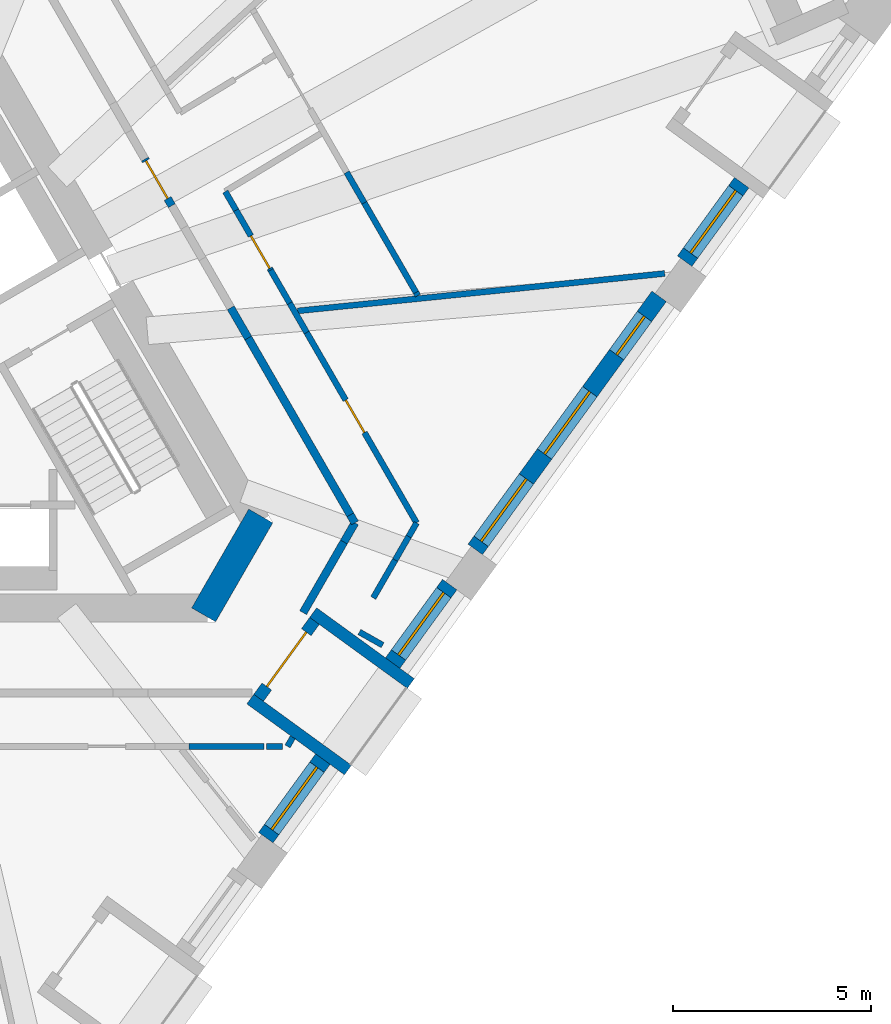
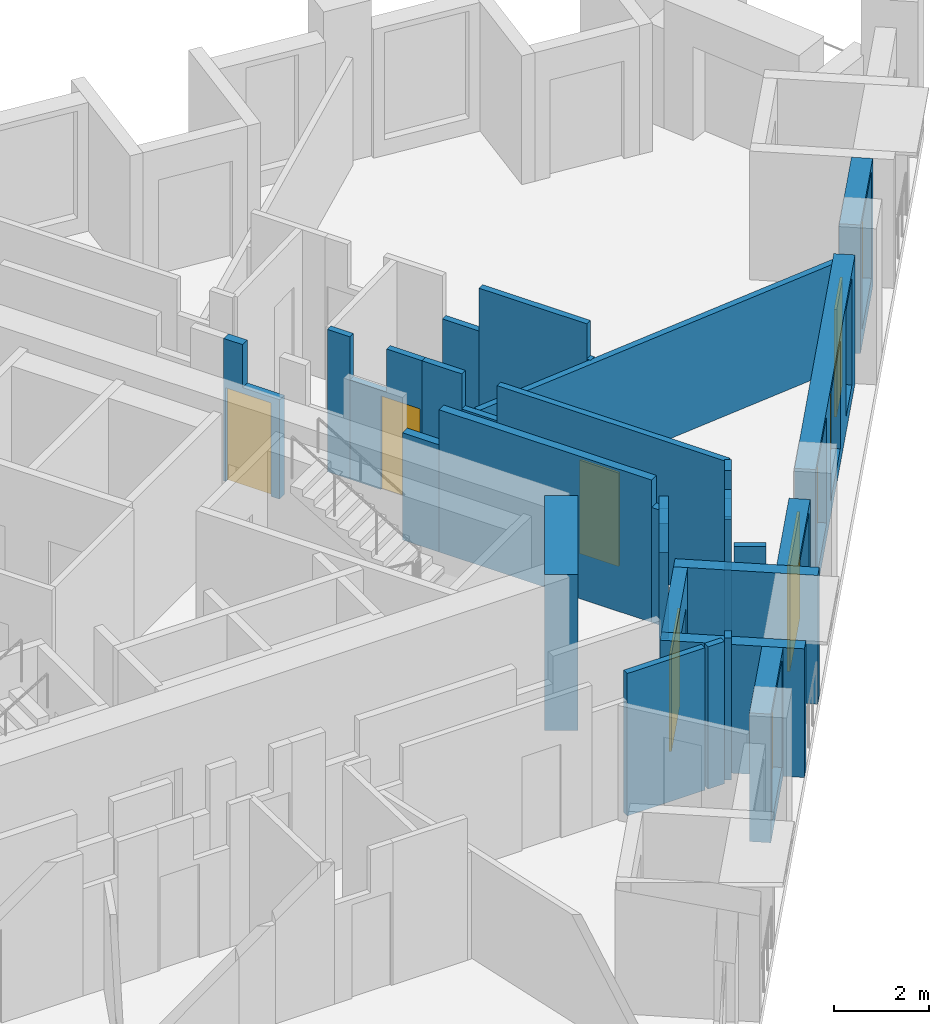
# One storey, part 5 of 11: 30 walls, 6 windows, 4 doors, 10 openings.
"""IFC4 building model written with IfcOpenShell, lengths in metres."""

from ifc_helpers import new_model, si_unit, direction, frame, frame_2d, origin, place, context, subcontext, project, spatial, polyline, rectangle, outline, extrude, material, layer, layer_set, type_object, element, fill, save


model = new_model("IFC4")

# Units and contexts
model_context = context("Model", 3, precision=1e-05, world=origin(), true_north=direction((0.0, 1.0)))
body_context = subcontext(model_context, "Body", "Model", "MODEL_VIEW")
ifc_project = project(units=[si_unit("LENGTHUNIT", "METRE"), si_unit("AREAUNIT", "SQUARE_METRE"), si_unit("VOLUMEUNIT", "CUBIC_METRE"), si_unit("PLANEANGLEUNIT", "RADIAN"), si_unit("MASSUNIT", "GRAM", prefix="KILO")], contexts=[model_context])

# Site, building, storey
site_placement = place(None, origin())
site = spatial("IfcSite", under=ifc_project, at=site_placement, CompositionType="ELEMENT")
building_placement = place(site_placement, origin())
building = spatial("IfcBuilding", under=site, at=building_placement, Name="Tramontana Tower", CompositionType="ELEMENT")
storey_placement = place(building_placement, frame((0.0, 0.0, 245.199951171875)))
storey = spatial("IfcBuildingStorey", under=building, at=storey_placement, Name="L57", CompositionType="ELEMENT", Elevation=245.199951171875)

# Walls
ifc_material_1 = material(Name="Concrete 70 MPa", Category="concrete")
ifc_layer_1 = layer(ifc_material_1, 0.699951171875)
ifc_layer_set_1 = layer_set([ifc_layer_1], Name="Core wall 700 70 MPa")
wall_type_1 = type_object("IfcWallType", Name="Core wall 700 70 MPa", PredefinedType="SHEAR", material=ifc_layer_set_1)
wall_1_placement = place(storey_placement, frame((8.50146484375, -6.574951171875, 0.0), z_axis=(0.0, 0.0, 1.0), x_axis=(0.499995765644, 0.866027848477, 0.0)))
element("IfcWall", 1, at=wall_1_placement, inside=storey, type_object=wall_type_1, Name="Core wall C4 L57", PredefinedType="SHEAR", context=body_context, shape_type="SweptSolid", body=[
    extrude(rectangle(XDim=2.88671875, YDim=0.699951171875, at=frame_2d((1.443359375, 0.0))), origin(), (0.0, 0.0, 1.0), 4.0),
])
ifc_material_2 = material(Name="Blockwork", Category="masonry")
ifc_layer_2 = layer(ifc_material_2, 0.199951171875)
ifc_layer_set_2 = layer_set([ifc_layer_2], Name="ENTRY WALL 200")
wall_type_2 = type_object("IfcWallType", Name="ENTRY WALL 200", PredefinedType="SOLIDWALL", material=ifc_layer_set_2)
wall_2_placement = place(storey_placement, frame((12.326416015625, -4.25, 0.0), z_axis=(0.0, 0.0, 1.0), x_axis=(-0.500000383388, -0.866025182435, 0.0)))
element("IfcWall", 2, at=wall_2_placement, inside=storey, type_object=wall_type_2, Name="Wall v60-ew0-0", PredefinedType="SOLIDWALL", context=body_context, shape_type="SweptSolid", body=[
    extrude(rectangle(XDim=0.5576171875, YDim=0.199951171875, at=frame_2d((0.27880859375, 0.0))), origin(), (0.0, 0.0, 1.0), 2.949951171875),
])
wall_3_placement = place(storey_placement, frame((12.047607421875, -4.73291015625, 0.0), z_axis=(0.0, 0.0, 1.0), x_axis=(-0.499958106649, -0.866049589571, 0.0)))
element("IfcWall", 3, at=wall_3_placement, inside=storey, type_object=wall_type_2, Name="Wall v60-ew0-1", PredefinedType="SOLIDWALL", context=body_context, shape_type="SweptSolid", body=[
    extrude(rectangle(XDim=2.062744140625, YDim=0.199951171875, at=frame_2d((1.03125, 0.0))), origin(), (0.0, 0.0, 1.0), 3.650146484375),
])

# Wall, opening, door
wall_4_placement = place(storey_placement, frame((7.017333984375, 4.945556640625, 0.0), z_axis=(0.0, 0.0, 1.0), x_axis=(0.499924531544, -0.866068971134, 0.0)))
wall_4 = element("IfcWall", 4, at=wall_4_placement, inside=storey, type_object=wall_type_2, Name="Wall v60-ew5-5", PredefinedType="SOLIDWALL", context=body_context, shape_type="SweptSolid", body=[
    extrude(outline(polyline([(0.0, 0.0), (1.359619140625, 0.0), (1.359375, 2.550048828125), (0.459228515625, 2.550048828125), (0.459228515625, 3.650146484375), (0.0, 3.650146484375), (0.0, 0.0)])), frame((0.0, 0.10009765625, 0.0), z_axis=(0.0, -1.0, 0.0), x_axis=(1.0, 0.0, 0.0)), (0.0, 0.0, 1.0), 0.199951171875),
])
opening_1_placement = place(wall_4_placement, frame((0.050048828125, 0.0, 0.0)))
opening_1 = element("IfcOpeningElement", 5, at=opening_1_placement, cuts=wall_4, Name="Opening B6A-19", PredefinedType="OPENING", context=body_context, shape_type="SweptSolid", body=[
    extrude(rectangle(XDim=1.10009765625, YDim=2.39990234375, at=frame_2d((0.550048828125, 1.199951171875))), frame((0.0, 0.10986328125, 0.0), z_axis=(0.0, -1.0, 0.0), x_axis=(1.0, 0.0, 0.0)), (0.0, 0.0, 1.0), 0.219970703125),
])
ifc_material_3 = material(Name="Painted timber", Category="wood")
door_type_1 = type_object("IfcDoorType", Name="DOOR ENTRY 1100", OperationType="SINGLE_SWING_LEFT", PredefinedType="DOOR", material=ifc_material_3)
door_1_placement = place(opening_1_placement, origin())
door_1 = element("IfcDoor", 6, at=door_1_placement, inside=storey, type_object=door_type_1, Name="Door B6A-19", OperationType="SINGLE_SWING_LEFT", OverallHeight=2.39990234375, OverallWidth=1.10009765625, PredefinedType="DOOR", context=body_context, shape_type="SweptSolid", body=[
    extrude(rectangle(XDim=1.10009765625, YDim=2.39990234375, at=frame_2d((0.550048828125, 1.199951171875))), frame((0.0, 0.02490234375, 0.0), z_axis=(0.0, -1.0, 0.0), x_axis=(1.0, 0.0, 0.0)), (0.0, 0.0, 1.0), 0.050048828125),
])
fill(opening_1, door_1)

# Walls
wall_5_placement = place(storey_placement, frame((9.186767578125, 1.18798828125, 0.0), z_axis=(0.0, 0.0, 1.0), x_axis=(0.500121072013, -0.86595549154, 0.0)))
element("IfcWall", 7, at=wall_5_placement, inside=storey, type_object=wall_type_2, Name="Wall v60-ew5-9", PredefinedType="SOLIDWALL", context=body_context, shape_type="SweptSolid", body=[
    extrude(rectangle(XDim=0.883544921875, YDim=0.199951171875, at=frame_2d((0.44189453125, 0.0))), origin(), (0.0, 0.0, 1.0), 2.75),
])
wall_6_placement = place(storey_placement, frame((9.628662109375, 0.4228515625, 0.0), z_axis=(0.0, 0.0, 1.0), x_axis=(0.499995433041, -0.866028040503, 0.0)))
element("IfcWall", 8, at=wall_6_placement, inside=storey, type_object=wall_type_2, Name="Wall v60-ew5-10", PredefinedType="SOLIDWALL", context=body_context, shape_type="SweptSolid", body=[
    extrude(rectangle(XDim=5.1611328125, YDim=0.199951171875, at=frame_2d((2.58056640625, 0.0))), origin(), (0.0, 0.0, 1.0), 3.650146484375),
])
wall_7_placement = place(storey_placement, frame((12.209228515625, -4.046875, 0.0), z_axis=(0.0, 0.0, 1.0), x_axis=(0.49972245349, -0.866185586049, 0.0)))
element("IfcWall", 9, at=wall_7_placement, inside=storey, type_object=wall_type_2, Name="Wall v60-ew5-11", PredefinedType="SOLIDWALL", context=body_context, shape_type="SweptSolid", body=[
    extrude(rectangle(XDim=0.234619140625, YDim=0.199951171875, at=frame_2d((0.1171875, 0.0))), origin(), (0.0, 0.0, 1.0), 2.949951171875),
])

# Wall, opening, window
ifc_material_4 = material(Name="Precast concrete 60 MPa", Category="concrete")
ifc_layer_3 = layer(ifc_material_4, 0.449951171875)
ifc_layer_set_3 = layer_set([ifc_layer_3], Name="Precast concrete 60 MPa, 450 mm")
wall_type_3 = type_object("IfcWallType", Name="EW1 Stone-faced precast wall 450", PredefinedType="SOLIDWALL", material=ifc_layer_set_3)
wall_8_placement = place(storey_placement, frame((10.074462890625, -12.2060546875, 0.0), z_axis=(0.0, 0.0, 1.0), x_axis=(0.587792773076, 0.809011530152, 0.0)))
wall_8 = element("IfcWall", 10, at=wall_8_placement, inside=storey, type_object=wall_type_3, Name="External wall L57 face 1 bay 3", PredefinedType="SOLIDWALL", context=body_context, shape_type="SweptSolid", body=[
    extrude(rectangle(XDim=2.4521484375, YDim=0.449951171875, at=frame_2d((1.22607421875, 0.0))), origin(), (0.0, 0.0, 1.0), 3.300048828125),
])
opening_2_placement = place(wall_8_placement, frame((0.251220703125, 0.0, 0.39990234375)))
opening_2 = element("IfcOpeningElement", 11, at=opening_2_placement, cuts=wall_8, Name="Opening M3", PredefinedType="OPENING", context=body_context, shape_type="SweptSolid", body=[
    extrude(rectangle(XDim=1.949951171875, YDim=2.75, at=frame_2d((0.97509765625, 1.375))), frame((0.0, 0.23486328125, 0.0), z_axis=(0.0, -1.0, 0.0), x_axis=(1.0, 0.0, 0.0)), (0.0, 0.0, 1.0), 0.469970703125),
])
ifc_material_5 = material(Name="Aluminum frame, double glazing unit", Category="aluminium")
window_type_1 = type_object("IfcWindowType", Name="M3 Window 1.95 x 2.75", PartitioningType="SINGLE_PANEL", PredefinedType="WINDOW", material=ifc_material_5)
window_1_placement = place(opening_2_placement, origin())
window_1 = element("IfcWindow", 12, at=window_1_placement, inside=storey, type_object=window_type_1, Name="Window M3 L57 face 1 module 7", OverallHeight=2.75, OverallWidth=1.949951171875, PartitioningType="SINGLE_PANEL", PredefinedType="WINDOW", context=body_context, shape_type="SweptSolid", body=[
    extrude(rectangle(XDim=1.949951171875, YDim=2.75, at=frame_2d((0.97509765625, 1.375))), frame((0.0, 0.030029296875, 0.0), z_axis=(0.0, -1.0, 0.0), x_axis=(1.0, 0.0, 0.0)), (0.0, 0.0, 1.0), 0.06005859375),
])
fill(opening_2, window_1)

wall_9_placement = place(storey_placement, frame((13.280517578125, -7.79345703125, 0.0), z_axis=(0.0, 0.0, 1.0), x_axis=(0.587792773076, 0.809011530152, 0.0)))
wall_9 = element("IfcWall", 13, at=wall_9_placement, inside=storey, type_object=wall_type_3, Name="External wall L57 face 1 bay 3", PredefinedType="SOLIDWALL", context=body_context, shape_type="SweptSolid", body=[
    extrude(rectangle(XDim=2.4521484375, YDim=0.449951171875, at=frame_2d((1.22607421875, 0.0))), origin(), (0.0, 0.0, 1.0), 3.300048828125),
])
opening_3_placement = place(wall_9_placement, frame((0.251220703125, 0.0, 0.39990234375)))
opening_3 = element("IfcOpeningElement", 14, at=opening_3_placement, cuts=wall_9, Name="Opening M3", PredefinedType="OPENING", context=body_context, shape_type="SweptSolid", body=[
    extrude(rectangle(XDim=1.949951171875, YDim=2.75, at=frame_2d((0.97509765625, 1.375))), frame((0.0, 0.23486328125, 0.0), z_axis=(0.0, -1.0, 0.0), x_axis=(1.0, 0.0, 0.0)), (0.0, 0.0, 1.0), 0.469970703125),
])
window_2_placement = place(opening_3_placement, origin())
window_2 = element("IfcWindow", 15, at=window_2_placement, inside=storey, type_object=window_type_1, Name="Window M3 L57 face 1 module 9", OverallHeight=2.75, OverallWidth=1.949951171875, PartitioningType="SINGLE_PANEL", PredefinedType="WINDOW", context=body_context, shape_type="SweptSolid", body=[
    extrude(rectangle(XDim=1.949951171875, YDim=2.75, at=frame_2d((0.97509765625, 1.375))), frame((0.0, 0.030029296875, 0.0), z_axis=(0.0, -1.0, 0.0), x_axis=(1.0, 0.0, 0.0)), (0.0, 0.0, 1.0), 0.06005859375),
])
fill(opening_3, window_2)

# Wall, openings, windows
wall_10_placement = place(storey_placement, frame((15.368408203125, -4.919677734375, 0.0), z_axis=(0.0, 0.0, 1.0), x_axis=(0.587782407267, 0.809019061399, 0.0)))
wall_10 = element("IfcWall", 16, at=wall_10_placement, inside=storey, type_object=wall_type_3, Name="External wall L57 face 1 bay 4", PredefinedType="SOLIDWALL", context=body_context, shape_type="SweptSolid", body=[
    extrude(rectangle(XDim=7.90673828125, YDim=0.449951171875, at=frame_2d((3.953369140625, 0.0))), origin(), (0.0, 0.0, 1.0), 3.300048828125),
])
opening_4_placement = place(wall_10_placement, frame((0.251220703125, 0.0, 0.39990234375)))
opening_4 = element("IfcOpeningElement", 17, at=opening_4_placement, cuts=wall_10, Name="Opening M3", PredefinedType="OPENING", context=body_context, shape_type="SweptSolid", body=[
    extrude(rectangle(XDim=1.949951171875, YDim=2.75, at=frame_2d((0.97509765625, 1.375))), frame((0.0, 0.23486328125, 0.0), z_axis=(0.0, -1.0, 0.0), x_axis=(1.0, 0.0, 0.0)), (0.0, 0.0, 1.0), 0.469970703125),
])
opening_5_placement = place(wall_10_placement, frame((2.978271484375, 0.0, 0.39990234375)))
opening_5 = element("IfcOpeningElement", 18, at=opening_5_placement, cuts=wall_10, Name="Opening M3", PredefinedType="OPENING", context=body_context, shape_type="SweptSolid", body=[
    extrude(rectangle(XDim=1.949951171875, YDim=2.75, at=frame_2d((0.97509765625, 1.375))), frame((0.0, 0.23486328125, 0.0), z_axis=(0.0, -1.0, 0.0), x_axis=(1.0, 0.0, 0.0)), (0.0, 0.0, 1.0), 0.469970703125),
])
opening_6_placement = place(wall_10_placement, frame((6.08056640625, 0.0, 0.39990234375)))
opening_6 = element("IfcOpeningElement", 19, at=opening_6_placement, cuts=wall_10, Name="Opening N3", PredefinedType="OPENING", context=body_context, shape_type="SweptSolid", body=[
    extrude(rectangle(XDim=1.199951171875, YDim=2.75, at=frame_2d((0.60009765625, 1.375))), frame((0.0, 0.23486328125, 0.0), z_axis=(0.0, -1.0, 0.0), x_axis=(1.0, 0.0, 0.0)), (0.0, 0.0, 1.0), 0.469970703125),
])
window_3_placement = place(opening_4_placement, origin())
window_3 = element("IfcWindow", 20, at=window_3_placement, inside=storey, type_object=window_type_1, Name="Window M3 L57 face 1 module 10", OverallHeight=2.75, OverallWidth=1.949951171875, PartitioningType="SINGLE_PANEL", PredefinedType="WINDOW", context=body_context, shape_type="SweptSolid", body=[
    extrude(rectangle(XDim=1.949951171875, YDim=2.75, at=frame_2d((0.97509765625, 1.375))), frame((0.0, 0.030029296875, 0.0), z_axis=(0.0, -1.0, 0.0), x_axis=(1.0, 0.0, 0.0)), (0.0, 0.0, 1.0), 0.06005859375),
])
fill(opening_4, window_3)
window_4_placement = place(opening_5_placement, origin())
window_4 = element("IfcWindow", 21, at=window_4_placement, inside=storey, type_object=window_type_1, Name="Window M3 L57 face 1 module 11", OverallHeight=2.75, OverallWidth=1.949951171875, PartitioningType="SINGLE_PANEL", PredefinedType="WINDOW", context=body_context, shape_type="SweptSolid", body=[
    extrude(rectangle(XDim=1.949951171875, YDim=2.75, at=frame_2d((0.97509765625, 1.375))), frame((0.0, 0.030029296875, 0.0), z_axis=(0.0, -1.0, 0.0), x_axis=(1.0, 0.0, 0.0)), (0.0, 0.0, 1.0), 0.06005859375),
])
fill(opening_5, window_4)
ifc_material_6 = material(Name="Aluminum frame, double glazing unit", Category="aluminium")
window_type_2 = type_object("IfcWindowType", Name="N3 Window 1.2 x 2.75", PartitioningType="SINGLE_PANEL", PredefinedType="WINDOW", material=ifc_material_6)
window_5_placement = place(opening_6_placement, origin())
window_5 = element("IfcWindow", 22, at=window_5_placement, inside=storey, type_object=window_type_2, Name="Window N3 L57 face 1 module 12", OverallHeight=2.75, OverallWidth=1.199951171875, PartitioningType="SINGLE_PANEL", PredefinedType="WINDOW", context=body_context, shape_type="SweptSolid", body=[
    extrude(rectangle(XDim=1.199951171875, YDim=2.75, at=frame_2d((0.60009765625, 1.375))), frame((0.0, 0.030029296875, 0.0), z_axis=(0.0, -1.0, 0.0), x_axis=(1.0, 0.0, 0.0)), (0.0, 0.0, 1.0), 0.06005859375),
])
fill(opening_6, window_5)

# Wall, opening, window
wall_11_placement = place(storey_placement, frame((20.662353515625, 2.366943359375, 0.0), z_axis=(0.0, 0.0, 1.0), x_axis=(0.587792773076, 0.809011530152, 0.0)))
wall_11 = element("IfcWall", 23, at=wall_11_placement, inside=storey, type_object=wall_type_3, Name="External wall L57 face 1 bay 5", PredefinedType="SOLIDWALL", context=body_context, shape_type="SweptSolid", body=[
    extrude(rectangle(XDim=2.4521484375, YDim=0.449951171875, at=frame_2d((1.22607421875, 0.0))), origin(), (0.0, 0.0, 1.0), 3.300048828125),
])
opening_7_placement = place(wall_11_placement, frame((0.251220703125, 0.0, 0.39990234375)))
opening_7 = element("IfcOpeningElement", 24, at=opening_7_placement, cuts=wall_11, Name="Opening M3", PredefinedType="OPENING", context=body_context, shape_type="SweptSolid", body=[
    extrude(rectangle(XDim=1.949951171875, YDim=2.75, at=frame_2d((0.97509765625, 1.375))), frame((0.0, 0.23486328125, 0.0), z_axis=(0.0, -1.0, 0.0), x_axis=(1.0, 0.0, 0.0)), (0.0, 0.0, 1.0), 0.469970703125),
])
window_6_placement = place(opening_7_placement, origin())
window_6 = element("IfcWindow", 25, at=window_6_placement, inside=storey, type_object=window_type_1, Name="Window M3 L57 face 1 module 13", OverallHeight=2.75, OverallWidth=1.949951171875, PartitioningType="SINGLE_PANEL", PredefinedType="WINDOW", context=body_context, shape_type="SweptSolid", body=[
    extrude(rectangle(XDim=1.949951171875, YDim=2.75, at=frame_2d((0.97509765625, 1.375))), frame((0.0, 0.030029296875, 0.0), z_axis=(0.0, -1.0, 0.0), x_axis=(1.0, 0.0, 0.0)), (0.0, 0.0, 1.0), 0.06005859375),
])
fill(opening_7, window_6)

# Wall, opening, door
ifc_material_7 = material(Name="Precast concrete 60 MPa", Category="concrete")
ifc_layer_4 = layer(ifc_material_7, 0.300048828125)
ifc_layer_set_4 = layer_set([ifc_layer_4], Name="LW1 Stone-faced loggia wall 300")
wall_type_4 = type_object("IfcWallType", Name="LW1 Stone-faced loggia wall 300", PredefinedType="SOLIDWALL", material=ifc_layer_set_4)
wall_12_placement = place(storey_placement, frame((9.89208984375, -8.671630859375, 0.0), z_axis=(0.0, 0.0, 1.0), x_axis=(0.587833242688, 0.808982125137, 0.0)))
wall_12 = element("IfcWall", 26, at=wall_12_placement, inside=storey, type_object=wall_type_4, Name="Loggia wall L57 G6S1.7", PredefinedType="SOLIDWALL", context=body_context, shape_type="SweptSolid", body=[
    extrude(rectangle(XDim=2.40234375, YDim=0.300048828125, at=frame_2d((1.201171875, 0.0))), origin(), (0.0, 0.0, 1.0), 3.300048828125),
])
opening_8_placement = place(wall_12_placement, frame((0.35107421875, 0.0, 0.0)))
opening_8 = element("IfcOpeningElement", 27, at=opening_8_placement, cuts=wall_12, Name="Opening BD-6S1-07", PredefinedType="OPENING", context=body_context, shape_type="SweptSolid", body=[
    extrude(rectangle(XDim=1.699951171875, YDim=2.5, at=frame_2d((0.85009765625, 1.25))), frame((0.0, 0.159912109375, 0.0), z_axis=(0.0, -1.0, 0.0), x_axis=(1.0, 0.0, 0.0)), (0.0, 0.0, 1.0), 0.320068359375),
])
ifc_material_8 = material(Name="Aluminum frame, double glazing unit", Category="aluminium")
door_type_2 = type_object("IfcDoorType", Name="BD3 Sliding door 1.7 x 2.5", OperationType="SLIDING_TO_LEFT", PredefinedType="DOOR", material=ifc_material_8)
door_2_placement = place(opening_8_placement, origin())
door_2 = element("IfcDoor", 28, at=door_2_placement, inside=storey, type_object=door_type_2, Name="Loggia door L57 G6S1.7", OperationType="SLIDING_TO_LEFT", OverallHeight=2.5, OverallWidth=1.699951171875, PredefinedType="DOOR", context=body_context, shape_type="SweptSolid", body=[
    extrude(rectangle(XDim=1.699951171875, YDim=2.5, at=frame_2d((0.85009765625, 1.25))), frame((0.0, 0.02490234375, 0.0), z_axis=(0.0, -1.0, 0.0), x_axis=(1.0, 0.0, 0.0)), (0.0, 0.0, 1.0), 0.050048828125),
])
fill(opening_8, door_2)

# Walls
for number, where, z_axis, x_axis, name in (
    (29, (12.150146484375, -10.49755859375, 0.0), (0.0, 0.0, 1.0), (-0.80902328748, 0.587776590479, 0.0), "Loggia return L57 G6S1.7a"),
    (30, (13.738525390625, -8.3115234375, 0.0), (0.0, 0.0, 1.0), (-0.80902328748, 0.587776590479, 0.0), "Loggia return L57 G6S1.7b"),
):
    element("IfcWall", number, at=place(storey_placement, frame(where, z_axis=z_axis, x_axis=x_axis)), inside=storey, type_object=wall_type_4, Name=name, PredefinedType="SOLIDWALL", context=body_context, shape_type="SweptSolid", body=[
        extrude(rectangle(XDim=3.050048828125, YDim=0.300048828125, at=frame_2d((1.52490234375, 0.0))), origin(), (0.0, 0.0, 1.0), 3.300048828125),
    ])
ifc_material_9 = material(Name="Gypsum board partition")
ifc_layer_5 = layer(ifc_material_9, 0.14990234375)
ifc_layer_set_5 = layer_set([ifc_layer_5], Name="PARTITION 150")
wall_type_5 = type_object("IfcWallType", Name="PARTITION 150", PredefinedType="PARTITIONING", material=ifc_layer_set_5)
wall_13_placement = place(storey_placement, frame((9.0498046875, 4.125244140625, 0.0), z_axis=(0.0, 0.0, 1.0), x_axis=(0.500007885066, -0.866020851292, 0.0)))
element("IfcWall", 31, at=wall_13_placement, inside=storey, type_object=wall_type_5, Name="Wall v60-pw18-0", PredefinedType="PARTITIONING", context=body_context, shape_type="SweptSolid", body=[
    extrude(rectangle(XDim=0.54296875, YDim=0.14990234375, at=frame_2d((0.271484375, 0.0))), origin(), (0.0, 0.0, 1.0), 3.650146484375),
])

# Wall, opening, door
wall_14_placement = place(storey_placement, frame((9.3212890625, 3.655029296875, 0.0), z_axis=(0.0, 0.0, 1.0), x_axis=(0.499980071345, -0.866036909293, 0.0)))
wall_14 = element("IfcWall", 32, at=wall_14_placement, inside=storey, type_object=wall_type_5, Name="Wall v60-pw18-1", PredefinedType="PARTITIONING", context=body_context, shape_type="SweptSolid", body=[
    extrude(outline(polyline([(0.0, 0.0), (1.75, 0.0), (1.75, 3.650146484375), (0.8916015625, 3.650146484375), (0.8916015625, 2.550048828125), (0.0, 2.550048828125), (0.0, 0.0)])), frame((0.0, 0.074951171875, 0.0), z_axis=(0.0, -1.0, 0.0), x_axis=(1.0, 0.0, 0.0)), (0.0, 0.0, 1.0), 0.14990234375),
])
opening_9_placement = place(wall_14_placement, frame((0.75, 0.0, 0.0)))
opening_9 = element("IfcOpeningElement", 33, at=opening_9_placement, cuts=wall_14, Name="Opening B6A-10", PredefinedType="OPENING", context=body_context, shape_type="SweptSolid", body=[
    extrude(rectangle(XDim=0.949951171875, YDim=2.39990234375, at=frame_2d((0.47509765625, 1.199951171875))), frame((0.0, 0.0849609375, 0.0), z_axis=(0.0, -1.0, 0.0), x_axis=(1.0, 0.0, 0.0)), (0.0, 0.0, 1.0), 0.169921875),
])
ifc_material_10 = material(Name="Painted timber", Category="wood")
door_type_3 = type_object("IfcDoorType", Name="DOOR ROOM 950", OperationType="SINGLE_SWING_LEFT", PredefinedType="DOOR", material=ifc_material_10)
door_3_placement = place(opening_9_placement, origin())
door_3 = element("IfcDoor", 34, at=door_3_placement, inside=storey, type_object=door_type_3, Name="Door B6A-10", OperationType="SINGLE_SWING_RIGHT", OverallHeight=2.39990234375, OverallWidth=0.949951171875, PredefinedType="DOOR", context=body_context, shape_type="SweptSolid", body=[
    extrude(rectangle(XDim=0.949951171875, YDim=2.39990234375, at=frame_2d((0.47509765625, 1.199951171875))), frame((0.0, 0.02490234375, 0.0), z_axis=(0.0, -1.0, 0.0), x_axis=(1.0, 0.0, 0.0)), (0.0, 0.0, 1.0), 0.050048828125),
])
fill(opening_9, door_3)

# Walls
wall_15_placement = place(storey_placement, frame((10.1962890625, 2.139404296875, 0.0), z_axis=(0.0, 0.0, 1.0), x_axis=(0.500109093648, -0.865962409375, 0.0)))
element("IfcWall", 35, at=wall_15_placement, inside=storey, type_object=wall_type_5, Name="Wall v60-pw18-2", PredefinedType="PARTITIONING", context=body_context, shape_type="SweptSolid", body=[
    extrude(rectangle(XDim=0.965576171875, YDim=0.14990234375, at=frame_2d((0.48291015625, 0.0))), origin(), (0.0, 0.0, 1.0), 3.650146484375),
])
wall_16_placement = place(storey_placement, frame((10.67919921875, 1.30322265625, 0.0), z_axis=(0.0, 0.0, 1.0), x_axis=(0.500035209441, -0.86600507465, 0.0)))
element("IfcWall", 36, at=wall_16_placement, inside=storey, type_object=wall_type_5, Name="Wall v60-pw18-3", PredefinedType="PARTITIONING", context=body_context, shape_type="SweptSolid", body=[
    extrude(rectangle(XDim=0.85595703125, YDim=0.14990234375, at=frame_2d((0.427978515625, 0.0))), origin(), (0.0, 0.0, 1.0), 2.75),
])

# Wall, opening, door
wall_17_placement = place(storey_placement, frame((11.107177734375, 0.56201171875, 0.0), z_axis=(0.0, 0.0, 1.0), x_axis=(0.499981090573, -0.866036320872, 0.0)))
wall_17 = element("IfcWall", 37, at=wall_17_placement, inside=storey, type_object=wall_type_5, Name="Wall v60-pw18-4", PredefinedType="PARTITIONING", context=body_context, shape_type="SweptSolid", body=[
    extrude(rectangle(XDim=5.556396484375, YDim=0.14990234375, at=frame_2d((2.7783203125, 0.0))), origin(), (0.0, 0.0, 1.0), 3.650146484375),
])
opening_10_placement = place(wall_17_placement, frame((1.970947265625, 0.0, 0.0)))
opening_10 = element("IfcOpeningElement", 38, at=opening_10_placement, cuts=wall_17, Name="Opening B6A-13", PredefinedType="OPENING", context=body_context, shape_type="SweptSolid", body=[
    extrude(rectangle(XDim=0.949951171875, YDim=2.39990234375, at=frame_2d((0.47509765625, 1.199951171875))), frame((0.0, 0.0849609375, 0.0), z_axis=(0.0, -1.0, 0.0), x_axis=(1.0, 0.0, 0.0)), (0.0, 0.0, 1.0), 0.169921875),
])
door_4_placement = place(opening_10_placement, origin())
door_4 = element("IfcDoor", 39, at=door_4_placement, inside=storey, type_object=door_type_3, Name="Door B6A-13", OperationType="SINGLE_SWING_LEFT", OverallHeight=2.39990234375, OverallWidth=0.949951171875, PredefinedType="DOOR", context=body_context, shape_type="SweptSolid", body=[
    extrude(rectangle(XDim=0.949951171875, YDim=2.39990234375, at=frame_2d((0.47509765625, 1.199951171875))), frame((0.0, 0.02490234375, 0.0), z_axis=(0.0, -1.0, 0.0), x_axis=(1.0, 0.0, 0.0)), (0.0, 0.0, 1.0), 0.050048828125),
])
fill(opening_10, door_4)

# Walls
wall_18_placement = place(storey_placement, frame((12.1171875, 4.612548828125, 0.0), z_axis=(0.0, 0.0, 1.0), x_axis=(0.499967368674, -0.86604424267, 0.0)))
element("IfcWall", 40, at=wall_18_placement, inside=storey, type_object=wall_type_5, Name="Wall v60-pw19-4", PredefinedType="PARTITIONING", context=body_context, shape_type="SweptSolid", body=[
    extrude(rectangle(XDim=0.8916015625, YDim=0.14990234375, at=frame_2d((0.44580078125, 0.0))), origin(), (0.0, 0.0, 1.0), 2.550048828125),
])
wall_19_placement = place(storey_placement, frame((12.56298828125, 3.84033203125, 0.0), z_axis=(0.0, 0.0, 1.0), x_axis=(0.500016176693, -0.866016063965, 0.0)))
element("IfcWall", 41, at=wall_19_placement, inside=storey, type_object=wall_type_5, Name="Wall v60-pw19-5", PredefinedType="PARTITIONING", context=body_context, shape_type="SweptSolid", body=[
    extrude(rectangle(XDim=2.6142578125, YDim=0.14990234375, at=frame_2d((1.30712890625, 0.0))), origin(), (0.0, 0.0, 1.0), 3.650146484375),
])
wall_20_placement = place(storey_placement, frame((13.8701171875, 1.576416015625, 0.0), z_axis=(0.0, 0.0, 1.0), x_axis=(0.49972245349, -0.866185586049, 0.0)))
element("IfcWall", 42, at=wall_20_placement, inside=storey, type_object=wall_type_5, Name="Wall v60-pw19-6", PredefinedType="PARTITIONING", context=body_context, shape_type="SweptSolid", body=[
    extrude(rectangle(XDim=0.09521484375, YDim=0.14990234375, at=frame_2d((0.047607421875, 0.0))), origin(), (0.0, 0.0, 1.0), 2.75),
])
wall_21_placement = place(storey_placement, frame((10.0224609375, -9.89990234375, 0.0), z_axis=(0.0, 0.0, 1.0), x_axis=(-1.0, 0.0, 0.0)))
element("IfcWall", 43, at=wall_21_placement, inside=storey, type_object=wall_type_5, Name="Wall v60-pw21-0", PredefinedType="PARTITIONING", context=body_context, shape_type="SweptSolid", body=[
    extrude(rectangle(XDim=1.888427734375, YDim=0.14990234375, at=frame_2d((0.9443359375, 0.0))), origin(), (0.0, 0.0, 1.0), 3.650146484375),
])
wall_22_placement = place(storey_placement, frame((10.09228515625, -9.89990234375, 0.0), z_axis=(0.0, 0.0, 1.0), x_axis=(1.0, 0.0, 0.0)))
element("IfcWall", 44, at=wall_22_placement, inside=storey, type_object=wall_type_5, Name="Wall v60-pw22", PredefinedType="PARTITIONING", context=body_context, shape_type="SweptSolid", body=[
    extrude(rectangle(XDim=0.406982421875, YDim=0.14990234375, at=frame_2d((0.20361328125, 0.0))), origin(), (0.0, 0.0, 1.0), 3.650146484375),
])
wall_23_placement = place(storey_placement, frame((10.755859375, -9.670166015625, 0.0), z_axis=(0.0, 0.0, 1.0), x_axis=(-0.499802134818, -0.866139611167, 0.0)))
element("IfcWall", 45, at=wall_23_placement, inside=storey, type_object=wall_type_5, Name="Wall v60-pw23", PredefinedType="PARTITIONING", context=body_context, shape_type="SweptSolid", body=[
    extrude(rectangle(XDim=0.26513671875, YDim=0.14990234375, at=frame_2d((0.132568359375, 0.0))), origin(), (0.0, 0.0, 1.0), 3.650146484375),
])
wall_24_placement = place(storey_placement, frame((12.439697265625, -7.00927734375, 0.0), z_axis=(0.0, 0.0, 1.0), x_axis=(0.871323961853, -0.490708216256, 0.0)))
element("IfcWall", 46, at=wall_24_placement, inside=storey, type_object=wall_type_5, Name="Wall v60-pw25", PredefinedType="PARTITIONING", context=body_context, shape_type="SweptSolid", body=[
    extrude(rectangle(XDim=0.674072265625, YDim=0.14990234375, at=frame_2d((0.3369140625, 0.0))), origin(), (0.0, 0.0, 1.0), 3.650146484375),
])
wall_25_placement = place(storey_placement, frame((13.88525390625, -4.25, 0.0), z_axis=(0.0, 0.0, 1.0), x_axis=(-0.499899443193, -0.866083452501, 0.0)))
element("IfcWall", 47, at=wall_25_placement, inside=storey, type_object=wall_type_5, Name="Wall v60-pw26-0", PredefinedType="PARTITIONING", context=body_context, shape_type="SweptSolid", body=[
    extrude(rectangle(XDim=0.39794921875, YDim=0.14990234375, at=frame_2d((0.198974609375, 0.0))), origin(), (0.0, 0.0, 1.0), 3.650146484375),
])
wall_26_placement = place(storey_placement, frame((13.686279296875, -4.5947265625, 0.0), z_axis=(0.0, 0.0, 1.0), x_axis=(-0.500081895979, -0.865978115955, 0.0)))
element("IfcWall", 48, at=wall_26_placement, inside=storey, type_object=wall_type_5, Name="Wall v60-pw26-1", PredefinedType="PARTITIONING", context=body_context, shape_type="SweptSolid", body=[
    extrude(rectangle(XDim=0.68603515625, YDim=0.14990234375, at=frame_2d((0.343017578125, 0.0))), origin(), (0.0, 0.0, 1.0), 2.949951171875),
])
wall_27_placement = place(storey_placement, frame((13.34326171875, -5.188720703125, 0.0), z_axis=(0.0, 0.0, 1.0), x_axis=(-0.500009088543, -0.866020156448, 0.0)))
element("IfcWall", 49, at=wall_27_placement, inside=storey, type_object=wall_type_5, Name="Wall v60-pw26-2", PredefinedType="PARTITIONING", context=body_context, shape_type="SweptSolid", body=[
    extrude(rectangle(XDim=1.10595703125, YDim=0.14990234375, at=frame_2d((0.552978515625, 0.0))), origin(), (0.0, 0.0, 1.0), 3.650146484375),
])
wall_28_placement = place(storey_placement, frame((20.1572265625, 2.05419921875, 0.0), z_axis=(0.0, 0.0, 1.0), x_axis=(-0.994848051669, -0.101377285871, 0.0)))
element("IfcWall", 50, at=wall_28_placement, inside=storey, type_object=wall_type_5, Name="Wall v60-pw27-0", PredefinedType="PARTITIONING", context=body_context, shape_type="SweptSolid", body=[
    extrude(rectangle(XDim=9.3271484375, YDim=0.14990234375, at=frame_2d((4.66357421875, 0.0))), origin(), (0.0, 0.0, 1.0), 2.75),
])

save(model, "model.ifc")
